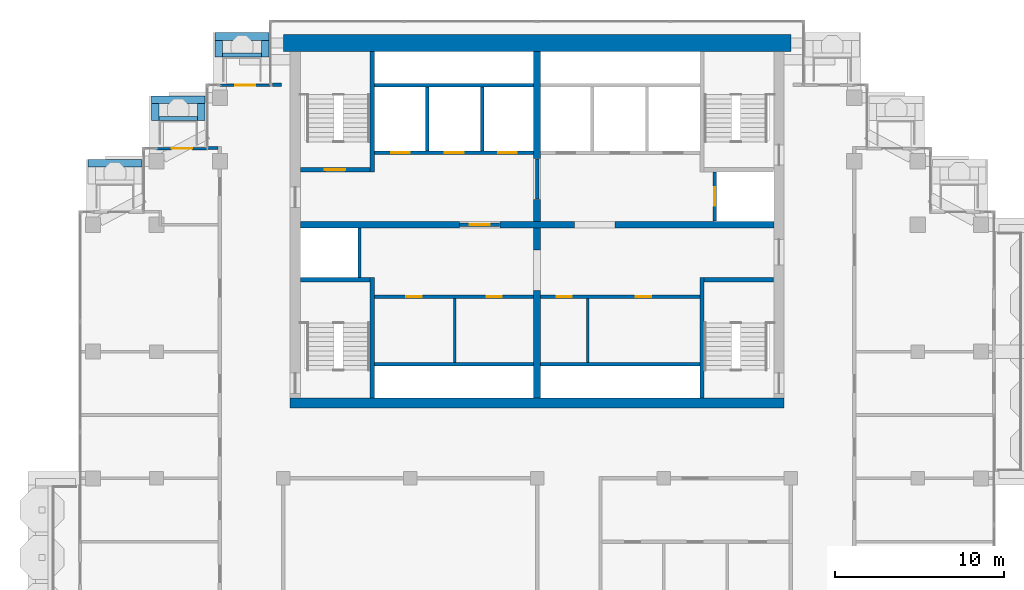
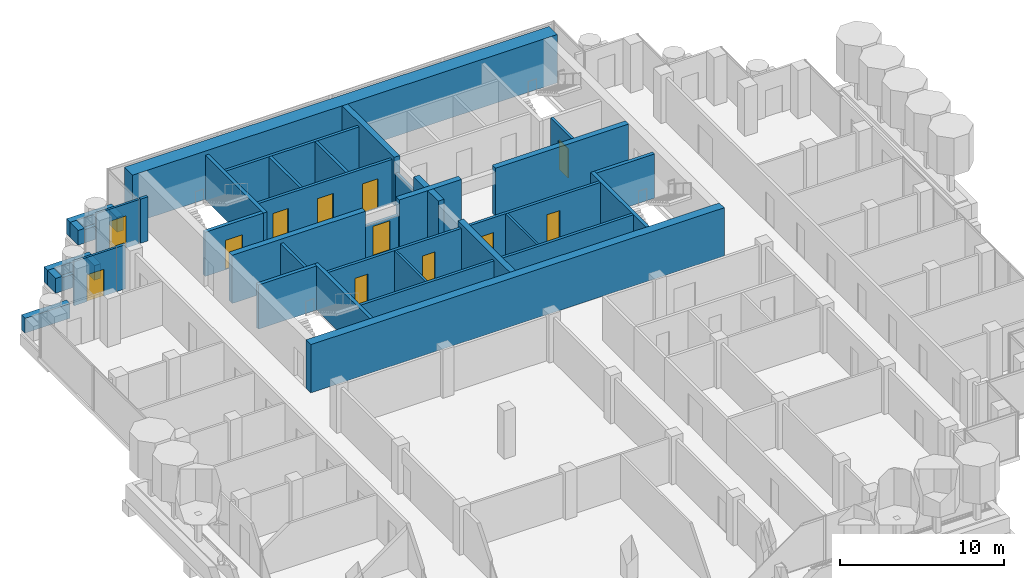
# One storey, part 13 of 19: 42 walls, 12 doors, 12 openings.
"""IFC4 building model written with IfcOpenShell, lengths in metres."""

from ifc_helpers import new_model, si_unit, direction, frame, frame_2d, origin, place, context, subcontext, project, spatial, rectangle, extrude, material, layer, layer_set, type_object, element, fill, save


model = new_model("IFC4")

# Units and contexts
model_context = context("Model", 3, precision=1e-05, world=origin(), true_north=direction((0.0, 1.0)))
body_context = subcontext(model_context, "Body", "Model", "MODEL_VIEW")
ifc_project = project(units=[si_unit("LENGTHUNIT", "METRE"), si_unit("AREAUNIT", "SQUARE_METRE"), si_unit("VOLUMEUNIT", "CUBIC_METRE"), si_unit("PLANEANGLEUNIT", "RADIAN"), si_unit("MASSUNIT", "GRAM", prefix="KILO")], contexts=[model_context])

# Site, building, storey
site_placement = place(None, origin())
site = spatial("IfcSite", under=ifc_project, at=site_placement, CompositionType="ELEMENT")
building_placement = place(site_placement, origin())
building = spatial("IfcBuilding", under=site, at=building_placement, Name="Pilkhan Gate Tower", CompositionType="ELEMENT")
storey_placement = place(building_placement, frame((0.0, 0.0, 239.10009765625)))
storey = spatial("IfcBuildingStorey", under=building, at=storey_placement, Name="L62", CompositionType="ELEMENT", Elevation=239.10009765625)

# Walls
ifc_material_1 = material(Name="Concrete C40/50", Category="concrete")
ifc_layer_1 = layer(ifc_material_1, 0.25)
ifc_layer_set_1 = layer_set([ifc_layer_1], Name="Balcony planter BP250")
wall_type_1 = type_object("IfcWallType", Name="Balcony planter BP250", PredefinedType="USERDEFINED", material=ifc_layer_set_1)
wall_1_placement = place(storey_placement, frame((56.39990234375, 92.52490234375, 0.0), z_axis=(0.0, 0.0, 1.0), x_axis=(1.0, 0.0, 0.0)))
element("IfcWall", 1, at=wall_1_placement, inside=storey, type_object=wall_type_1, Name="Balcony planter L62 N", ObjectType="BALCONY PLANTER", PredefinedType="USERDEFINED", context=body_context, shape_type="SweptSolid", body=[
    extrude(rectangle(XDim=2.300048828125, YDim=0.25, at=frame_2d((1.14990234375, 0.0))), origin(), (0.0, 0.0, 1.0), 1.0),
])
wall_2_placement = place(storey_placement, frame((52.64990234375, 88.77490234375, 0.0), z_axis=(0.0, 0.0, 1.0), x_axis=(1.0, 0.0, 0.0)))
element("IfcWall", 2, at=wall_2_placement, inside=storey, type_object=wall_type_1, Name="Balcony planter L62 N", ObjectType="BALCONY PLANTER", PredefinedType="USERDEFINED", context=body_context, shape_type="SweptSolid", body=[
    extrude(rectangle(XDim=2.280029296875, YDim=0.25, at=frame_2d((1.14013671875, 0.0))), origin(), (0.0, 0.0, 1.0), 1.0),
])
ifc_material_2 = material(Name="Board-marked Concrete C40/50", Category="concrete")
ifc_layer_2 = layer(ifc_material_2, 0.449951171875)
ifc_layer_set_2 = layer_set([ifc_layer_2], Name="Balcony planter lip BL450")
wall_type_2 = type_object("IfcWallType", Name="Balcony planter lip BL450", PredefinedType="USERDEFINED", material=ifc_layer_set_2)
wall_3_placement = place(storey_placement, frame((55.949951171875, 93.625, 0.0), z_axis=(0.0, 0.0, 1.0), x_axis=(1.0, 0.0, 0.0)))
element("IfcWall", 3, at=wall_3_placement, inside=storey, type_object=wall_type_2, Name="Balcony planter L62 N", ObjectType="BALCONY PLANTER", PredefinedType="USERDEFINED", context=body_context, shape_type="SweptSolid", body=[
    extrude(rectangle(XDim=3.199951171875, YDim=0.449951171875, at=frame_2d((1.60009765625, 0.0))), origin(), (0.0, 0.0, 1.0), 1.099853515625),
])
for number, where, z_axis, x_axis, name in (
    (4, (56.175048828125, 92.39990234375, 0.0), (0.0, 0.0, 1.0), (0.0, 1.0, 0.0), "Balcony planter L62 N"),
    (5, (58.925048828125, 92.39990234375, 0.0), (0.0, 0.0, 1.0), (0.0, 1.0, 0.0), "Balcony planter L62 N"),
):
    element("IfcWall", number, at=place(storey_placement, frame(where, z_axis=z_axis, x_axis=x_axis)), inside=storey, type_object=wall_type_2, Name=name, ObjectType="BALCONY PLANTER", PredefinedType="USERDEFINED", context=body_context, shape_type="SweptSolid", body=[
        extrude(rectangle(XDim=1.0, YDim=0.449951171875, at=frame_2d((0.5, 0.0))), origin(), (0.0, 0.0, 1.0), 1.099853515625),
    ])
wall_4_placement = place(storey_placement, frame((52.199951171875, 89.875, 0.0), z_axis=(0.0, 0.0, 1.0), x_axis=(1.0, 0.0, 0.0)))
element("IfcWall", 6, at=wall_4_placement, inside=storey, type_object=wall_type_2, Name="Balcony planter L62 N", ObjectType="BALCONY PLANTER", PredefinedType="USERDEFINED", context=body_context, shape_type="SweptSolid", body=[
    extrude(rectangle(XDim=3.179931640625, YDim=0.449951171875, at=frame_2d((1.58984375, 0.0))), origin(), (0.0, 0.0, 1.0), 1.099853515625),
])
for number, where, z_axis, x_axis, name in (
    (7, (52.425048828125, 88.64990234375, 0.0), (0.0, 0.0, 1.0), (0.0, 1.0, 0.0), "Balcony planter L62 N"),
    (8, (55.155029296875, 88.64990234375, 0.0), (0.0, 0.0, 1.0), (0.0, 1.0, 0.0), "Balcony planter L62 N"),
):
    element("IfcWall", number, at=place(storey_placement, frame(where, z_axis=z_axis, x_axis=x_axis)), inside=storey, type_object=wall_type_2, Name=name, ObjectType="BALCONY PLANTER", PredefinedType="USERDEFINED", context=body_context, shape_type="SweptSolid", body=[
        extrude(rectangle(XDim=1.0, YDim=0.449951171875, at=frame_2d((0.5, 0.0))), origin(), (0.0, 0.0, 1.0), 1.099853515625),
    ])
wall_5_placement = place(storey_placement, frame((48.449951171875, 86.125, 0.0), z_axis=(0.0, 0.0, 1.0), x_axis=(1.0, 0.0, 0.0)))
element("IfcWall", 9, at=wall_5_placement, inside=storey, type_object=wall_type_2, Name="Balcony planter L62 N", ObjectType="BALCONY PLANTER", PredefinedType="USERDEFINED", context=body_context, shape_type="SweptSolid", body=[
    extrude(rectangle(XDim=3.179931640625, YDim=0.449951171875, at=frame_2d((1.58984375, 0.0))), origin(), (0.0, 0.0, 1.0), 1.099853515625),
])
ifc_material_3 = material(Name="Concrete C50/60", Category="concrete")
ifc_layer_3 = layer(ifc_material_3, 1.0)
ifc_layer_set_3 = layer_set([ifc_layer_3], Name="Core wall CW1000 C50/60")
wall_type_3 = type_object("IfcWallType", Name="Core wall CW1000 C50/60", PredefinedType="SHEAR", material=ifc_layer_set_3)
wall_6_placement = place(storey_placement, frame((90.0, 93.25, 0.0), z_axis=(0.0, 0.0, 1.0), x_axis=(-1.0, 0.0, 0.0)))
element("IfcWall", 10, at=wall_6_placement, inside=storey, type_object=wall_type_3, Name="Core wall N L62", PredefinedType="SHEAR", context=body_context, shape_type="SweptSolid", body=[
    extrude(rectangle(XDim=30.0, YDim=1.0, at=frame_2d((15.0, 0.0))), origin(), (0.0, 0.0, 1.0), 3.599853515625),
])
ifc_layer_4 = layer(ifc_material_3, 0.60009765625)
ifc_layer_set_4 = layer_set([ifc_layer_4], Name="Core wall CW600 C50/60")
wall_type_4 = type_object("IfcWallType", Name="Core wall CW600 C50/60", PredefinedType="SHEAR", material=ifc_layer_set_4)
wall_7_placement = place(storey_placement, frame((60.39990234375, 71.949951171875, 0.0), z_axis=(0.0, 0.0, 1.0), x_axis=(1.0, 0.0, 0.0)))
element("IfcWall", 11, at=wall_7_placement, inside=storey, type_object=wall_type_4, Name="Core wall S L62", PredefinedType="SHEAR", context=body_context, shape_type="SweptSolid", body=[
    extrude(rectangle(XDim=29.2001953125, YDim=0.60009765625, at=frame_2d((14.60009765625, 0.0))), origin(), (0.0, 0.0, 1.0), 3.599853515625),
])
ifc_material_4 = material(Name="Dense blockwork", Category="masonry")
ifc_layer_5 = layer(ifc_material_4, 0.199951171875)
ifc_layer_set_5 = layer_set([ifc_layer_5], Name="Corridor wall FW200")
wall_type_5 = type_object("IfcWallType", Name="Corridor wall FW200", PredefinedType="PARTITIONING", material=ifc_layer_set_5)
wall_8_placement = place(storey_placement, frame((55.510009765625, 87.030029296875, 0.0), z_axis=(0.0, 0.0, 1.0), x_axis=(1.0, 0.0, 0.0)))
element("IfcWall", 12, at=wall_8_placement, inside=storey, type_object=wall_type_5, Name="Partition L62", PredefinedType="PARTITIONING", context=body_context, shape_type="SweptSolid", body=[
    extrude(rectangle(XDim=0.639892578125, YDim=0.199951171875, at=frame_2d((0.31982421875, 0.0))), origin(), (0.0, 0.0, 1.0), 3.2998046875),
])
wall_9_placement = place(storey_placement, frame((59.35498046875, 90.764892578125, 0.0), z_axis=(0.0, 0.0, 1.0), x_axis=(1.0, 0.0, 0.0)))
element("IfcWall", 13, at=wall_9_placement, inside=storey, type_object=wall_type_5, Name="Partition L62", PredefinedType="PARTITIONING", context=body_context, shape_type="SweptSolid", body=[
    extrude(rectangle(XDim=0.52490234375, YDim=0.199951171875, at=frame_2d((0.262451171875, 0.0))), origin(), (0.0, 0.0, 1.0), 3.2998046875),
])

# Wall, opening, door
ifc_material_5 = material(Name="Pale anodised aluminium, clear laminated glazing", Category="aluminium")
ifc_layer_6 = layer(ifc_material_5, 0.14990234375)
ifc_layer_set_6 = layer_set([ifc_layer_6], Name="Facade infill wall IW150")
wall_type_6 = type_object("IfcWallType", Name="Facade infill wall IW150", PredefinedType="SOLIDWALL", material=ifc_layer_set_6)
wall_10_placement = place(storey_placement, frame((56.25, 90.75, 0.0), z_axis=(0.0, 0.0, 1.0), x_axis=(1.0, 0.0, 0.0)))
wall_10 = element("IfcWall", 14, at=wall_10_placement, inside=storey, type_object=wall_type_6, Name="Infill wall L62 N", PredefinedType="SOLIDWALL", context=body_context, shape_type="SweptSolid", body=[
    extrude(rectangle(XDim=3.0, YDim=0.14990234375, at=frame_2d((1.5, 0.0))), origin(), (0.0, 0.0, 1.0), 3.2998046875),
])
opening_1_placement = place(wall_10_placement, frame((0.89990234375, 0.0, 0.0)))
opening_1 = element("IfcOpeningElement", 15, at=opening_1_placement, cuts=wall_10, Name="Opening D1", PredefinedType="OPENING", context=body_context, shape_type="SweptSolid", body=[
    extrude(rectangle(XDim=1.199951171875, YDim=2.39990234375, at=frame_2d((0.60009765625, 1.199951171875))), frame((0.0, 0.0849609375, 0.0), z_axis=(0.0, -1.0, 0.0), x_axis=(1.0, 0.0, 0.0)), (0.0, 0.0, 1.0), 0.169921875),
])
ifc_material_6 = material(Name="Pale anodised aluminium, clear glazing", Category="aluminium")
door_type_1 = type_object("IfcDoorType", Name="Balcony door D1 1200x2400", OperationType="SINGLE_SWING_LEFT", PredefinedType="DOOR", material=ifc_material_6)
door_1_placement = place(opening_1_placement, origin())
door_1 = element("IfcDoor", 16, at=door_1_placement, inside=storey, type_object=door_type_1, Name="Balcony door L62", OperationType="SINGLE_SWING_LEFT", OverallHeight=2.39990234375, OverallWidth=1.199951171875, PredefinedType="DOOR", context=body_context, shape_type="SweptSolid", body=[
    extrude(rectangle(XDim=1.199951171875, YDim=2.39990234375, at=frame_2d((0.60009765625, 1.199951171875))), frame((0.0, 0.02490234375, 0.0), z_axis=(0.0, -1.0, 0.0), x_axis=(1.0, 0.0, 0.0)), (0.0, 0.0, 1.0), 0.050048828125),
])
fill(opening_1, door_1)

wall_11_placement = place(storey_placement, frame((52.5, 87.0, 0.0), z_axis=(0.0, 0.0, 1.0), x_axis=(1.0, 0.0, 0.0)))
wall_11 = element("IfcWall", 17, at=wall_11_placement, inside=storey, type_object=wall_type_6, Name="Infill wall L62 N", PredefinedType="SOLIDWALL", context=body_context, shape_type="SweptSolid", body=[
    extrude(rectangle(XDim=3.0, YDim=0.14990234375, at=frame_2d((1.5, 0.0))), origin(), (0.0, 0.0, 1.0), 3.2998046875),
])
opening_2_placement = place(wall_11_placement, frame((0.89990234375, 0.0, 0.0)))
opening_2 = element("IfcOpeningElement", 18, at=opening_2_placement, cuts=wall_11, Name="Opening D1L", PredefinedType="OPENING", context=body_context, shape_type="SweptSolid", body=[
    extrude(rectangle(XDim=1.199951171875, YDim=2.0, at=frame_2d((0.60009765625, 1.0))), frame((0.0, 0.0849609375, 0.0), z_axis=(0.0, -1.0, 0.0), x_axis=(1.0, 0.0, 0.0)), (0.0, 0.0, 1.0), 0.169921875),
])
door_type_2 = type_object("IfcDoorType", Name="Balcony door D1L 1200x2000", OperationType="SINGLE_SWING_LEFT", PredefinedType="DOOR", material=ifc_material_6)
door_2_placement = place(opening_2_placement, origin())
door_2 = element("IfcDoor", 19, at=door_2_placement, inside=storey, type_object=door_type_2, Name="Balcony door L62", OperationType="SINGLE_SWING_LEFT", OverallHeight=2.0, OverallWidth=1.199951171875, PredefinedType="DOOR", context=body_context, shape_type="SweptSolid", body=[
    extrude(rectangle(XDim=1.199951171875, YDim=2.0, at=frame_2d((0.60009765625, 1.0))), frame((0.0, 0.02490234375, 0.0), z_axis=(0.0, -1.0, 0.0), x_axis=(1.0, 0.0, 0.0)), (0.0, 0.0, 1.0), 0.050048828125),
])
fill(opening_2, door_2)

# Walls
ifc_layer_7 = layer(ifc_material_4, 0.199951171875)
ifc_layer_set_7 = layer_set([ifc_layer_7], Name="Lobby wall LW200")
wall_type_7 = type_object("IfcWallType", Name="Lobby wall LW200", PredefinedType="PARTITIONING", material=ifc_layer_set_7)
for number, where, z_axis, x_axis, name in (
    (20, (65.375, 74.25, 0.0), (0.0, 0.0, 1.0), (1.0, 0.0, 0.0), "Partition L62"),
    (21, (75.2099609375, 74.25, 0.0), (0.0, 0.0, 1.0), (1.0, 0.0, 0.0), "Partition L62"),
):
    element("IfcWall", number, at=place(storey_placement, frame(where, z_axis=z_axis, x_axis=x_axis)), inside=storey, type_object=wall_type_7, Name=name, PredefinedType="PARTITIONING", context=body_context, shape_type="SweptSolid", body=[
        extrude(rectangle(XDim=9.4150390625, YDim=0.199951171875, at=frame_2d((4.70751953125, 0.0))), origin(), (0.0, 0.0, 1.0), 3.2998046875),
    ])

# Wall, openings, doors
wall_12_placement = place(storey_placement, frame((65.375, 78.25, 0.0), z_axis=(0.0, 0.0, 1.0), x_axis=(1.0, 0.0, 0.0)))
wall_12 = element("IfcWall", 22, at=wall_12_placement, inside=storey, type_object=wall_type_7, Name="Partition L62", PredefinedType="PARTITIONING", context=body_context, shape_type="SweptSolid", body=[
    extrude(rectangle(XDim=9.4150390625, YDim=0.199951171875, at=frame_2d((4.70751953125, 0.0))), origin(), (0.0, 0.0, 1.0), 3.2998046875),
])
opening_3_placement = place(wall_12_placement, frame((1.89990234375, 0.0, 0.0)))
opening_3 = element("IfcOpeningElement", 23, at=opening_3_placement, cuts=wall_12, Name="Opening L62-08", PredefinedType="OPENING", context=body_context, shape_type="SweptSolid", body=[
    extrude(rectangle(XDim=0.89990234375, YDim=2.199951171875, at=frame_2d((0.449951171875, 1.10009765625))), frame((0.0, 0.10986328125, 0.0), z_axis=(0.0, -1.0, 0.0), x_axis=(1.0, 0.0, 0.0)), (0.0, 0.0, 1.0), 0.219970703125),
])
opening_4_placement = place(wall_12_placement, frame((6.64990234375, 0.0, 0.0)))
opening_4 = element("IfcOpeningElement", 24, at=opening_4_placement, cuts=wall_12, Name="Opening L62-09", PredefinedType="OPENING", context=body_context, shape_type="SweptSolid", body=[
    extrude(rectangle(XDim=0.89990234375, YDim=2.199951171875, at=frame_2d((0.449951171875, 1.10009765625))), frame((0.0, 0.10986328125, 0.0), z_axis=(0.0, -1.0, 0.0), x_axis=(1.0, 0.0, 0.0)), (0.0, 0.0, 1.0), 0.219970703125),
])
ifc_material_7 = material(Name="Timber flush door, 60 minute fire resisting, self-closing", Category="wood")
door_type_3 = type_object("IfcDoorType", Name="Store door D05 900x2200", OperationType="SINGLE_SWING_LEFT", PredefinedType="DOOR", material=ifc_material_7)
door_3_placement = place(opening_3_placement, origin())
door_3 = element("IfcDoor", 25, at=door_3_placement, inside=storey, type_object=door_type_3, Name="Store door", OperationType="SINGLE_SWING_LEFT", OverallHeight=2.199951171875, OverallWidth=0.89990234375, PredefinedType="DOOR", context=body_context, shape_type="SweptSolid", body=[
    extrude(rectangle(XDim=0.89990234375, YDim=2.199951171875, at=frame_2d((0.449951171875, 1.10009765625))), frame((0.0, 0.02490234375, 0.0), z_axis=(0.0, -1.0, 0.0), x_axis=(1.0, 0.0, 0.0)), (0.0, 0.0, 1.0), 0.050048828125),
])
fill(opening_3, door_3)
door_4_placement = place(opening_4_placement, origin())
door_4 = element("IfcDoor", 26, at=door_4_placement, inside=storey, type_object=door_type_3, Name="Store door", OperationType="SINGLE_SWING_RIGHT", OverallHeight=2.199951171875, OverallWidth=0.89990234375, PredefinedType="DOOR", context=body_context, shape_type="SweptSolid", body=[
    extrude(rectangle(XDim=0.89990234375, YDim=2.199951171875, at=frame_2d((0.449951171875, 1.10009765625))), frame((0.0, 0.02490234375, 0.0), z_axis=(0.0, -1.0, 0.0), x_axis=(1.0, 0.0, 0.0)), (0.0, 0.0, 1.0), 0.050048828125),
])
fill(opening_4, door_4)

wall_13_placement = place(storey_placement, frame((75.2099609375, 78.25, 0.0), z_axis=(0.0, 0.0, 1.0), x_axis=(1.0, 0.0, 0.0)))
wall_13 = element("IfcWall", 27, at=wall_13_placement, inside=storey, type_object=wall_type_7, Name="Partition L62", PredefinedType="PARTITIONING", context=body_context, shape_type="SweptSolid", body=[
    extrude(rectangle(XDim=9.4150390625, YDim=0.199951171875, at=frame_2d((4.70751953125, 0.0))), origin(), (0.0, 0.0, 1.0), 3.2998046875),
])
opening_5_placement = place(wall_13_placement, frame((0.949951171875, 0.0, 0.0)))
opening_5 = element("IfcOpeningElement", 28, at=opening_5_placement, cuts=wall_13, Name="Opening L62-10", PredefinedType="OPENING", context=body_context, shape_type="SweptSolid", body=[
    extrude(rectangle(XDim=0.89990234375, YDim=2.199951171875, at=frame_2d((0.449951171875, 1.10009765625))), frame((0.0, 0.10986328125, 0.0), z_axis=(0.0, -1.0, 0.0), x_axis=(1.0, 0.0, 0.0)), (0.0, 0.0, 1.0), 0.219970703125),
])
opening_6_placement = place(wall_13_placement, frame((5.6298828125, 0.0, 0.0)))
opening_6 = element("IfcOpeningElement", 29, at=opening_6_placement, cuts=wall_13, Name="Opening L62-11", PredefinedType="OPENING", context=body_context, shape_type="SweptSolid", body=[
    extrude(rectangle(XDim=0.89990234375, YDim=2.199951171875, at=frame_2d((0.449951171875, 1.10009765625))), frame((0.0, 0.10986328125, 0.0), z_axis=(0.0, -1.0, 0.0), x_axis=(1.0, 0.0, 0.0)), (0.0, 0.0, 1.0), 0.219970703125),
])
door_5_placement = place(opening_5_placement, origin())
door_5 = element("IfcDoor", 30, at=door_5_placement, inside=storey, type_object=door_type_3, Name="Store door", OperationType="SINGLE_SWING_RIGHT", OverallHeight=2.199951171875, OverallWidth=0.89990234375, PredefinedType="DOOR", context=body_context, shape_type="SweptSolid", body=[
    extrude(rectangle(XDim=0.89990234375, YDim=2.199951171875, at=frame_2d((0.449951171875, 1.10009765625))), frame((0.0, 0.02490234375, 0.0), z_axis=(0.0, -1.0, 0.0), x_axis=(1.0, 0.0, 0.0)), (0.0, 0.0, 1.0), 0.050048828125),
])
fill(opening_5, door_5)
door_6_placement = place(opening_6_placement, origin())
door_6 = element("IfcDoor", 31, at=door_6_placement, inside=storey, type_object=door_type_3, Name="Store door", OperationType="SINGLE_SWING_LEFT", OverallHeight=2.199951171875, OverallWidth=0.89990234375, PredefinedType="DOOR", context=body_context, shape_type="SweptSolid", body=[
    extrude(rectangle(XDim=0.89990234375, YDim=2.199951171875, at=frame_2d((0.449951171875, 1.10009765625))), frame((0.0, 0.02490234375, 0.0), z_axis=(0.0, -1.0, 0.0), x_axis=(1.0, 0.0, 0.0)), (0.0, 0.0, 1.0), 0.050048828125),
])
fill(opening_6, door_6)

# Wall, opening, door
wall_14_placement = place(storey_placement, frame((70.409912109375, 82.5, 0.0), z_axis=(0.0, 0.0, 1.0), x_axis=(1.0, 0.0, 0.0)))
wall_14 = element("IfcWall", 32, at=wall_14_placement, inside=storey, type_object=wall_type_7, Name="Partition L62", PredefinedType="PARTITIONING", context=body_context, shape_type="SweptSolid", body=[
    extrude(rectangle(XDim=2.380126953125, YDim=0.199951171875, at=frame_2d((1.18994140625, 0.0))), origin(), (0.0, 0.0, 1.0), 2.39990234375),
])
opening_7_placement = place(wall_14_placement, frame((0.60009765625, 0.0, 0.0)))
opening_7 = element("IfcOpeningElement", 33, at=opening_7_placement, cuts=wall_14, Name="Opening L62-01", PredefinedType="OPENING", context=body_context, shape_type="SweptSolid", body=[
    extrude(rectangle(XDim=1.199951171875, YDim=2.199951171875, at=frame_2d((0.60009765625, 1.10009765625))), frame((0.0, 0.10986328125, 0.0), z_axis=(0.0, -1.0, 0.0), x_axis=(1.0, 0.0, 0.0)), (0.0, 0.0, 1.0), 0.219970703125),
])
ifc_material_8 = material(Name="Steel door, 120 minute fire resisting, self-closing", Category="steel")
door_type_4 = type_object("IfcDoorType", Name="Firefighting lobby door D10 1200x2200", OperationType="SINGLE_SWING_LEFT", PredefinedType="DOOR", material=ifc_material_8)
door_7_placement = place(opening_7_placement, origin())
door_7 = element("IfcDoor", 34, at=door_7_placement, inside=storey, type_object=door_type_4, Name="Firefighting lobby door", OperationType="SINGLE_SWING_LEFT", OverallHeight=2.199951171875, OverallWidth=1.199951171875, PredefinedType="DOOR", context=body_context, shape_type="SweptSolid", body=[
    extrude(rectangle(XDim=1.199951171875, YDim=2.199951171875, at=frame_2d((0.60009765625, 1.10009765625))), frame((0.0, 0.02490234375, 0.0), z_axis=(0.0, -1.0, 0.0), x_axis=(1.0, 0.0, 0.0)), (0.0, 0.0, 1.0), 0.050048828125),
])
fill(opening_7, door_7)

# Walls
wall_15_placement = place(storey_placement, frame((75.0, 84.010009765625, 0.0), z_axis=(0.0, 0.0, 1.0), x_axis=(0.0, 1.0, 0.0)))
element("IfcWall", 35, at=wall_15_placement, inside=storey, type_object=wall_type_7, Name="Partition L62", PredefinedType="PARTITIONING", context=body_context, shape_type="SweptSolid", body=[
    extrude(rectangle(XDim=2.3798828125, YDim=0.199951171875, at=frame_2d((1.18994140625, 0.0))), origin(), (0.0, 0.0, 1.0), 2.39990234375),
])
ifc_material_9 = material(Name="Blockwork partition, plastered both sides", Category="masonry")
ifc_layer_8 = layer(ifc_material_9, 0.14990234375)
ifc_layer_set_8 = layer_set([ifc_layer_8], Name="Partition PW150")
wall_type_8 = type_object("IfcWallType", Name="Partition PW150", PredefinedType="PARTITIONING", material=ifc_layer_set_8)
for number, where, z_axis, x_axis, name in (
    (36, (70.125, 74.35009765625, 0.0), (0.0, 0.0, 1.0), (0.0, 1.0, 0.0), "Partition L62"),
    (37, (77.989990234375, 74.35009765625, 0.0), (0.0, 0.0, 1.0), (0.0, 1.0, 0.0), "Partition L62"),
):
    element("IfcWall", number, at=place(storey_placement, frame(where, z_axis=z_axis, x_axis=x_axis)), inside=storey, type_object=wall_type_8, Name=name, PredefinedType="PARTITIONING", context=body_context, shape_type="SweptSolid", body=[
        extrude(rectangle(XDim=3.7998046875, YDim=0.14990234375, at=frame_2d((1.89990234375, 0.0))), origin(), (0.0, 0.0, 1.0), 3.2998046875),
    ])

# Wall, openings, doors
ifc_material_10 = material(Name="Reinforced blockwork shaft wall, 120 minute fire resisting", Category="masonry")
ifc_layer_9 = layer(ifc_material_10, 0.199951171875)
ifc_layer_set_9 = layer_set([ifc_layer_9], Name="Shaft wall SW200")
wall_type_9 = type_object("IfcWallType", Name="Shaft wall SW200", PredefinedType="PARTITIONING", material=ifc_layer_set_9)
wall_16_placement = place(storey_placement, frame((65.375, 86.75, 0.0), z_axis=(0.0, 0.0, 1.0), x_axis=(1.0, 0.0, 0.0)))
wall_16 = element("IfcWall", 38, at=wall_16_placement, inside=storey, type_object=wall_type_9, Name="Partition L62", PredefinedType="PARTITIONING", context=body_context, shape_type="SweptSolid", body=[
    extrude(rectangle(XDim=9.4150390625, YDim=0.199951171875, at=frame_2d((4.70751953125, 0.0))), origin(), (0.0, 0.0, 1.0), 3.2998046875),
])
opening_8_placement = place(wall_16_placement, frame((1.0, 0.0, 0.0)))
opening_8 = element("IfcOpeningElement", 39, at=opening_8_placement, cuts=wall_16, Name="Opening LD", PredefinedType="OPENING", context=body_context, shape_type="SweptSolid", body=[
    extrude(rectangle(XDim=1.10009765625, YDim=2.199951171875, at=frame_2d((0.550048828125, 1.10009765625))), frame((0.0, 0.10986328125, 0.0), z_axis=(0.0, -1.0, 0.0), x_axis=(1.0, 0.0, 0.0)), (0.0, 0.0, 1.0), 0.219970703125),
])
opening_9_placement = place(wall_16_placement, frame((4.175048828125, 0.0, 0.0)))
opening_9 = element("IfcOpeningElement", 40, at=opening_9_placement, cuts=wall_16, Name="Opening LD", PredefinedType="OPENING", context=body_context, shape_type="SweptSolid", body=[
    extrude(rectangle(XDim=1.10009765625, YDim=2.199951171875, at=frame_2d((0.550048828125, 1.10009765625))), frame((0.0, 0.10986328125, 0.0), z_axis=(0.0, -1.0, 0.0), x_axis=(1.0, 0.0, 0.0)), (0.0, 0.0, 1.0), 0.219970703125),
])
opening_10_placement = place(wall_16_placement, frame((7.324951171875, 0.0, 0.0)))
opening_10 = element("IfcOpeningElement", 41, at=opening_10_placement, cuts=wall_16, Name="Opening LD", PredefinedType="OPENING", context=body_context, shape_type="SweptSolid", body=[
    extrude(rectangle(XDim=1.10009765625, YDim=2.199951171875, at=frame_2d((0.550048828125, 1.10009765625))), frame((0.0, 0.10986328125, 0.0), z_axis=(0.0, -1.0, 0.0), x_axis=(1.0, 0.0, 0.0)), (0.0, 0.0, 1.0), 0.219970703125),
])
ifc_material_11 = material(Name="Stainless steel centre-opening landing door, 120 minute fire resisting", Category="steel")
door_type_5 = type_object("IfcDoorType", Name="Lift landing door LD 1100x2200", OperationType="DOUBLE_DOOR_SLIDING", PredefinedType="DOOR", material=ifc_material_11)
door_8_placement = place(opening_8_placement, origin())
door_8 = element("IfcDoor", 42, at=door_8_placement, inside=storey, type_object=door_type_5, Name="Landing door FF1", OperationType="DOUBLE_DOOR_SLIDING", OverallHeight=2.199951171875, OverallWidth=1.10009765625, PredefinedType="DOOR", context=body_context, shape_type="SweptSolid", body=[
    extrude(rectangle(XDim=1.10009765625, YDim=2.199951171875, at=frame_2d((0.550048828125, 1.10009765625))), frame((0.0, 0.02490234375, 0.0), z_axis=(0.0, -1.0, 0.0), x_axis=(1.0, 0.0, 0.0)), (0.0, 0.0, 1.0), 0.050048828125),
])
fill(opening_8, door_8)
door_9_placement = place(opening_9_placement, origin())
door_9 = element("IfcDoor", 43, at=door_9_placement, inside=storey, type_object=door_type_5, Name="Landing door FF2", OperationType="DOUBLE_DOOR_SLIDING", OverallHeight=2.199951171875, OverallWidth=1.10009765625, PredefinedType="DOOR", context=body_context, shape_type="SweptSolid", body=[
    extrude(rectangle(XDim=1.10009765625, YDim=2.199951171875, at=frame_2d((0.550048828125, 1.10009765625))), frame((0.0, 0.02490234375, 0.0), z_axis=(0.0, -1.0, 0.0), x_axis=(1.0, 0.0, 0.0)), (0.0, 0.0, 1.0), 0.050048828125),
])
fill(opening_9, door_9)
door_10_placement = place(opening_10_placement, origin())
door_10 = element("IfcDoor", 44, at=door_10_placement, inside=storey, type_object=door_type_5, Name="Landing door SV1", OperationType="DOUBLE_DOOR_SLIDING", OverallHeight=2.199951171875, OverallWidth=1.10009765625, PredefinedType="DOOR", context=body_context, shape_type="SweptSolid", body=[
    extrude(rectangle(XDim=1.10009765625, YDim=2.199951171875, at=frame_2d((0.550048828125, 1.10009765625))), frame((0.0, 0.02490234375, 0.0), z_axis=(0.0, -1.0, 0.0), x_axis=(1.0, 0.0, 0.0)), (0.0, 0.0, 1.0), 0.050048828125),
])
fill(opening_10, door_10)

# Walls
wall_17_placement = place(storey_placement, frame((65.375, 90.75, 0.0), z_axis=(0.0, 0.0, 1.0), x_axis=(1.0, 0.0, 0.0)))
element("IfcWall", 45, at=wall_17_placement, inside=storey, type_object=wall_type_9, Name="Partition L62", PredefinedType="PARTITIONING", context=body_context, shape_type="SweptSolid", body=[
    extrude(rectangle(XDim=9.4150390625, YDim=0.199951171875, at=frame_2d((4.70751953125, 0.0))), origin(), (0.0, 0.0, 1.0), 3.2998046875),
])
wall_18_placement = place(storey_placement, frame((64.5, 79.375, 0.0), z_axis=(0.0, 0.0, 1.0), x_axis=(0.0, 1.0, 0.0)))
element("IfcWall", 46, at=wall_18_placement, inside=storey, type_object=wall_type_9, Name="Partition L62", PredefinedType="PARTITIONING", context=body_context, shape_type="SweptSolid", body=[
    extrude(rectangle(XDim=2.9150390625, YDim=0.199951171875, at=frame_2d((1.45751953125, 0.0))), origin(), (0.0, 0.0, 1.0), 3.2998046875),
])
for number, where, z_axis, x_axis, name in (
    (47, (68.5, 86.85009765625, 0.0), (0.0, 0.0, 1.0), (0.0, 1.0, 0.0), "Partition L62"),
    (48, (71.75, 86.85009765625, 0.0), (0.0, 0.0, 1.0), (0.0, 1.0, 0.0), "Partition L62"),
):
    element("IfcWall", number, at=place(storey_placement, frame(where, z_axis=z_axis, x_axis=x_axis)), inside=storey, type_object=wall_type_9, Name=name, PredefinedType="PARTITIONING", context=body_context, shape_type="SweptSolid", body=[
        extrude(rectangle(XDim=3.7998046875, YDim=0.199951171875, at=frame_2d((1.89990234375, 0.0))), origin(), (0.0, 0.0, 1.0), 3.2998046875),
    ])

# Wall, opening, door
wall_19_placement = place(storey_placement, frame((85.5, 82.7099609375, 0.0), z_axis=(0.0, 0.0, 1.0), x_axis=(0.0, 1.0, 0.0)))
wall_19 = element("IfcWall", 49, at=wall_19_placement, inside=storey, type_object=wall_type_9, Name="Partition L62", PredefinedType="PARTITIONING", context=body_context, shape_type="SweptSolid", body=[
    extrude(rectangle(XDim=2.9150390625, YDim=0.199951171875, at=frame_2d((1.45751953125, 0.0))), origin(), (0.0, 0.0, 1.0), 3.2998046875),
])
opening_11_placement = place(wall_19_placement, frame((0.89990234375, 0.0, 0.0)))
opening_11 = element("IfcOpeningElement", 50, at=opening_11_placement, cuts=wall_19, Name="Opening LD", PredefinedType="OPENING", context=body_context, shape_type="SweptSolid", body=[
    extrude(rectangle(XDim=1.10009765625, YDim=2.199951171875, at=frame_2d((0.550048828125, 1.10009765625))), frame((0.0, 0.10986328125, 0.0), z_axis=(0.0, -1.0, 0.0), x_axis=(1.0, 0.0, 0.0)), (0.0, 0.0, 1.0), 0.219970703125),
])
door_11_placement = place(opening_11_placement, origin())
door_11 = element("IfcDoor", 51, at=door_11_placement, inside=storey, type_object=door_type_5, Name="Landing door HR4", OperationType="DOUBLE_DOOR_SLIDING", OverallHeight=2.199951171875, OverallWidth=1.10009765625, PredefinedType="DOOR", context=body_context, shape_type="SweptSolid", body=[
    extrude(rectangle(XDim=1.10009765625, YDim=2.199951171875, at=frame_2d((0.550048828125, 1.10009765625))), frame((0.0, 0.02490234375, 0.0), z_axis=(0.0, -1.0, 0.0), x_axis=(1.0, 0.0, 0.0)), (0.0, 0.0, 1.0), 0.050048828125),
])
fill(opening_11, door_11)

# Walls
ifc_layer_10 = layer(ifc_material_3, 0.39990234375)
ifc_layer_set_10 = layer_set([ifc_layer_10], Name="Spine wall SW400 C50/60")
wall_type_10 = type_object("IfcWallType", Name="Spine wall SW400 C50/60", PredefinedType="SHEAR", material=ifc_layer_set_10)
wall_20_placement = place(storey_placement, frame((61.0, 82.5, 0.0), z_axis=(0.0, 0.0, 1.0), x_axis=(1.0, 0.0, 0.0)))
element("IfcWall", 52, at=wall_20_placement, inside=storey, type_object=wall_type_10, Name="Spine wall SP-EW1 L62", PredefinedType="SHEAR", context=body_context, shape_type="SweptSolid", body=[
    extrude(rectangle(XDim=9.39990234375, YDim=0.39990234375, at=frame_2d((4.699951171875, 0.0))), origin(), (0.0, 0.0, 1.0), 3.599853515625),
])
wall_21_placement = place(storey_placement, frame((72.800048828125, 82.5, 0.0), z_axis=(0.0, 0.0, 1.0), x_axis=(1.0, 0.0, 0.0)))
element("IfcWall", 53, at=wall_21_placement, inside=storey, type_object=wall_type_10, Name="Spine wall SP-EW2 L62", PredefinedType="SHEAR", context=body_context, shape_type="SweptSolid", body=[
    extrude(rectangle(XDim=4.39990234375, YDim=0.39990234375, at=frame_2d((2.199951171875, 0.0))), origin(), (0.0, 0.0, 1.0), 3.599853515625),
])
wall_22_placement = place(storey_placement, frame((79.60009765625, 82.5, 0.0), z_axis=(0.0, 0.0, 1.0), x_axis=(1.0, 0.0, 0.0)))
element("IfcWall", 54, at=wall_22_placement, inside=storey, type_object=wall_type_10, Name="Spine wall SP-EW3 L62", PredefinedType="SHEAR", context=body_context, shape_type="SweptSolid", body=[
    extrude(rectangle(XDim=9.39990234375, YDim=0.39990234375, at=frame_2d((4.699951171875, 0.0))), origin(), (0.0, 0.0, 1.0), 3.599853515625),
])
wall_23_placement = place(storey_placement, frame((75.0, 72.25, 0.0), z_axis=(0.0, 0.0, 1.0), x_axis=(0.0, 1.0, 0.0)))
element("IfcWall", 55, at=wall_23_placement, inside=storey, type_object=wall_type_10, Name="Spine wall SP-NS-S1 L62", PredefinedType="SHEAR", context=body_context, shape_type="SweptSolid", body=[
    extrude(rectangle(XDim=6.35009765625, YDim=0.39990234375, at=frame_2d((3.175048828125, 0.0))), origin(), (0.0, 0.0, 1.0), 3.599853515625),
])
for number, where, z_axis, x_axis, name in (
    (56, (75.0, 81.0, 0.0), (0.0, 0.0, 1.0), (0.0, 1.0, 0.0), "Spine wall SP-NS-S2 L62"),
    (57, (75.0, 82.699951171875, 0.0), (0.0, 0.0, 1.0), (0.0, 1.0, 0.0), "Spine wall SP-NS-N1 L62"),
):
    element("IfcWall", number, at=place(storey_placement, frame(where, z_axis=z_axis, x_axis=x_axis)), inside=storey, type_object=wall_type_10, Name=name, PredefinedType="SHEAR", context=body_context, shape_type="SweptSolid", body=[
        extrude(rectangle(XDim=1.300048828125, YDim=0.39990234375, at=frame_2d((0.64990234375, 0.0))), origin(), (0.0, 0.0, 1.0), 3.599853515625),
    ])
wall_24_placement = place(storey_placement, frame((75.0, 86.39990234375, 0.0), z_axis=(0.0, 0.0, 1.0), x_axis=(0.0, 1.0, 0.0)))
element("IfcWall", 58, at=wall_24_placement, inside=storey, type_object=wall_type_10, Name="Spine wall SP-NS-N2 L62", PredefinedType="SHEAR", context=body_context, shape_type="SweptSolid", body=[
    extrude(rectangle(XDim=6.35009765625, YDim=0.39990234375, at=frame_2d((3.175048828125, 0.0))), origin(), (0.0, 0.0, 1.0), 3.599853515625),
])
ifc_material_12 = material(Name="Reinforced blockwork, 120 minute fire resisting", Category="masonry")
ifc_layer_11 = layer(ifc_material_12, 0.25)
ifc_layer_set_11 = layer_set([ifc_layer_11], Name="Stair enclosure wall SE250")
wall_type_11 = type_object("IfcWallType", Name="Stair enclosure wall SE250", PredefinedType="PARTITIONING", material=ifc_layer_set_11)
for number, where, z_axis, x_axis, name in (
    (59, (61.010009765625, 79.25, 0.0), (0.0, 0.0, 1.0), (1.0, 0.0, 0.0), "Partition L62"),
    (60, (84.875, 79.25, 0.0), (0.0, 0.0, 1.0), (1.0, 0.0, 0.0), "Partition L62"),
):
    element("IfcWall", number, at=place(storey_placement, frame(where, z_axis=z_axis, x_axis=x_axis)), inside=storey, type_object=wall_type_11, Name=name, PredefinedType="PARTITIONING", context=body_context, shape_type="SweptSolid", body=[
        extrude(rectangle(XDim=4.114990234375, YDim=0.25, at=frame_2d((2.0576171875, 0.0))), origin(), (0.0, 0.0, 1.0), 3.2998046875),
    ])

# Wall, opening, door
wall_25_placement = place(storey_placement, frame((61.010009765625, 85.75, 0.0), z_axis=(0.0, 0.0, 1.0), x_axis=(1.0, 0.0, 0.0)))
wall_25 = element("IfcWall", 61, at=wall_25_placement, inside=storey, type_object=wall_type_11, Name="Partition L62", PredefinedType="PARTITIONING", context=body_context, shape_type="SweptSolid", body=[
    extrude(rectangle(XDim=4.114990234375, YDim=0.25, at=frame_2d((2.0576171875, 0.0))), origin(), (0.0, 0.0, 1.0), 3.2998046875),
])
opening_12_placement = place(wall_25_placement, frame((1.449951171875, 0.0, 0.0)))
opening_12 = element("IfcOpeningElement", 62, at=opening_12_placement, cuts=wall_25, Name="Opening L62-02", PredefinedType="OPENING", context=body_context, shape_type="SweptSolid", body=[
    extrude(rectangle(XDim=1.199951171875, YDim=2.199951171875, at=frame_2d((0.60009765625, 1.10009765625))), frame((0.0, 0.135009765625, 0.0), z_axis=(0.0, -1.0, 0.0), x_axis=(1.0, 0.0, 0.0)), (0.0, 0.0, 1.0), 0.27001953125),
])
ifc_material_13 = material(Name="Steel door, 120 minute fire resisting, panic bar", Category="steel")
door_type_6 = type_object("IfcDoorType", Name="Stair door D11 1200x2200", OperationType="SINGLE_SWING_LEFT", PredefinedType="DOOR", material=ifc_material_13)
door_12_placement = place(opening_12_placement, origin())
door_12 = element("IfcDoor", 63, at=door_12_placement, inside=storey, type_object=door_type_6, Name="Stair ST3 lobby door", OperationType="SINGLE_SWING_RIGHT", OverallHeight=2.199951171875, OverallWidth=1.199951171875, PredefinedType="DOOR", context=body_context, shape_type="SweptSolid", body=[
    extrude(rectangle(XDim=1.199951171875, YDim=2.199951171875, at=frame_2d((0.60009765625, 1.10009765625))), frame((0.0, 0.02490234375, 0.0), z_axis=(0.0, -1.0, 0.0), x_axis=(1.0, 0.0, 0.0)), (0.0, 0.0, 1.0), 0.050048828125),
])
fill(opening_12, door_12)

# Walls
for number, where, z_axis, x_axis, name in (
    (64, (65.25, 72.260009765625, 0.0), (0.0, 0.0, 1.0), (0.0, 1.0, 0.0), "Partition L62"),
    (65, (65.25, 85.625, 0.0), (0.0, 0.0, 1.0), (0.0, 1.0, 0.0), "Partition L62"),
    (66, (84.75, 72.260009765625, 0.0), (0.0, 0.0, 1.0), (0.0, 1.0, 0.0), "Partition L62"),
):
    element("IfcWall", number, at=place(storey_placement, frame(where, z_axis=z_axis, x_axis=x_axis)), inside=storey, type_object=wall_type_11, Name=name, PredefinedType="PARTITIONING", context=body_context, shape_type="SweptSolid", body=[
        extrude(rectangle(XDim=7.114990234375, YDim=0.25, at=frame_2d((3.5576171875, 0.0))), origin(), (0.0, 0.0, 1.0), 3.2998046875),
    ])

save(model, "model.ifc")
